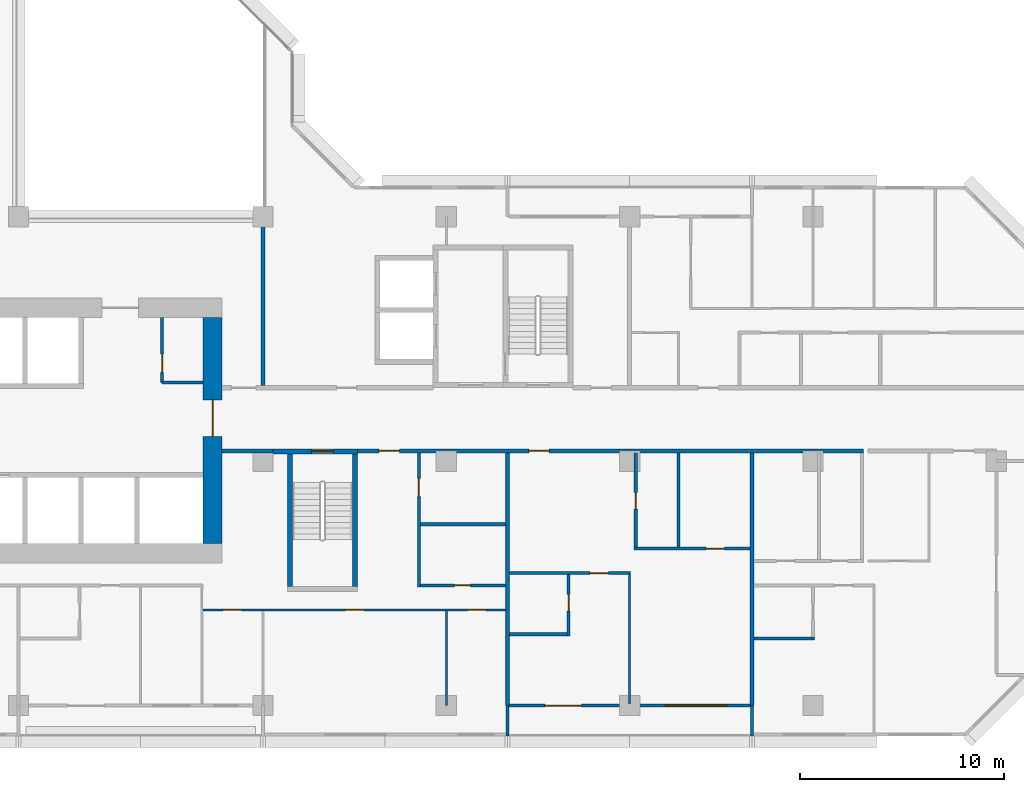
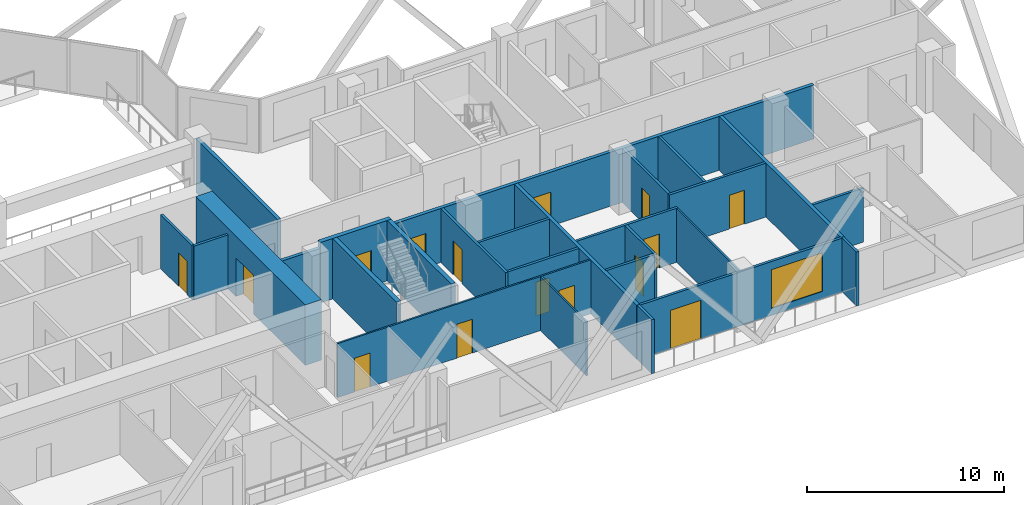
# One storey, part 6 of 14: 27 walls, 15 doors, 1 window, 16 openings.
"""IFC4 building model written with IfcOpenShell, lengths in metres."""

from ifc_helpers import new_model, si_unit, direction, frame, frame_2d, origin, place, context, subcontext, project, spatial, rectangle, extrude, material, layer, layer_set, type_object, element, fill, save


model = new_model("IFC4")

# Units and contexts
model_context = context("Model", 3, precision=1e-05, world=origin(), true_north=direction((0.0, 1.0)))
body_context = subcontext(model_context, "Body", "Model", "MODEL_VIEW")
ifc_project = project(units=[si_unit("LENGTHUNIT", "METRE"), si_unit("AREAUNIT", "SQUARE_METRE"), si_unit("VOLUMEUNIT", "CUBIC_METRE"), si_unit("PLANEANGLEUNIT", "RADIAN"), si_unit("MASSUNIT", "GRAM", prefix="KILO")], contexts=[model_context])

# Site, building, storey
site_placement = place(None, origin())
site = spatial("IfcSite", under=ifc_project, at=site_placement, CompositionType="ELEMENT")
building_placement = place(site_placement, origin())
building = spatial("IfcBuilding", under=site, at=building_placement, Name="Chenar Terraces", CompositionType="ELEMENT")
storey_placement = place(building_placement, frame((0.0, 0.0, 91.89990234375)))
storey = spatial("IfcBuildingStorey", under=building, at=storey_placement, Name="L20", CompositionType="ELEMENT", Elevation=91.89990234375)

# Wall, opening, door
ifc_material_1 = material(Name="Gypsum board on steel studs", Category="steel")
ifc_layer_1 = layer(ifc_material_1, 0.14990234375)
ifc_layer_set_1 = layer_set([ifc_layer_1], Name="Gypsum board on steel studs")
wall_type_1 = type_object("IfcWallType", Name="Core partition 150 gypsum board", PredefinedType="PARTITIONING", material=ifc_layer_set_1)
wall_1_placement = place(storey_placement, frame((31.050048828125, 15.85009765625, 0.0), z_axis=(0.0, 0.0, 1.0), x_axis=(0.0, 1.0, 0.0)))
wall_1 = element("IfcWall", 1, at=wall_1_placement, inside=storey, type_object=wall_type_1, Name="Core partition CP1 vestibule room west wall", PredefinedType="PARTITIONING", context=body_context, shape_type="SweptSolid", body=[
    extrude(rectangle(XDim=3.199951171875, YDim=0.14990234375, at=frame_2d((1.60009765625, 0.0))), origin(), (0.0, 0.0, 1.0), 3.35009765625),
])
opening_1_placement = place(wall_1_placement, frame((0.5, 0.0, 0.0)))
opening_1 = element("IfcOpeningElement", 2, at=opening_1_placement, cuts=wall_1, Name="Opening DL20-C13", PredefinedType="OPENING", context=body_context, shape_type="SweptSolid", body=[
    extrude(rectangle(XDim=0.89990234375, YDim=2.10009765625, at=frame_2d((0.449951171875, 1.050048828125))), frame((0.0, 0.0849609375, 0.0), z_axis=(0.0, -1.0, 0.0), x_axis=(1.0, 0.0, 0.0)), (0.0, 0.0, 1.0), 0.169921875),
])
ifc_material_2 = material(Name="Steel-framed fire-resisting door leaf", Category="steel")
door_type_1 = type_object("IfcDoorType", Name="Riser fire door FD60 900 x 2100", OperationType="SINGLE_SWING_LEFT", PredefinedType="DOOR", material=ifc_material_2)
door_1_placement = place(opening_1_placement, frame((0.89990234375, 0.0, 0.0), z_axis=(0.0, 0.0, 1.0), x_axis=(-1.0, 0.0, 0.0)))
door_1 = element("IfcDoor", 3, at=door_1_placement, inside=storey, type_object=door_type_1, Name="Core room door DL20-C13", OperationType="SINGLE_SWING_RIGHT", OverallHeight=2.10009765625, OverallWidth=0.89990234375, PredefinedType="DOOR", context=body_context, shape_type="SweptSolid", body=[
    extrude(rectangle(XDim=0.89990234375, YDim=2.10009765625, at=frame_2d((0.449951171875, 1.050048828125))), frame((0.0, 0.02490234375, 0.0), z_axis=(0.0, -1.0, 0.0), x_axis=(1.0, 0.0, 0.0)), (0.0, 0.0, 1.0), 0.050048828125),
])
fill(opening_1, door_1)

# Wall
wall_2_placement = place(storey_placement, frame((31.050048828125, 15.85009765625, 0.0), z_axis=(0.0, 0.0, 1.0), x_axis=(1.0, 0.0, 0.0)))
element("IfcWall", 4, at=wall_2_placement, inside=storey, type_object=wall_type_1, Name="Core partition CP1 vestibule room south wall", PredefinedType="PARTITIONING", context=body_context, shape_type="SweptSolid", body=[
    extrude(rectangle(XDim=2.0, YDim=0.14990234375, at=frame_2d((1.0, 0.0))), origin(), (0.0, 0.0, 1.0), 3.35009765625),
])

# Wall, opening, door
ifc_material_3 = material(Name="Concrete C70/85", Category="concrete")
ifc_layer_2 = layer(ifc_material_3, 0.25)
ifc_layer_set_2 = layer_set([ifc_layer_2], Name="Concrete C70/85")
wall_type_2 = type_object("IfcWallType", Name="Core wall 250 Concrete C70/85", PredefinedType="SHEAR", material=ifc_layer_set_2)
wall_3_placement = place(storey_placement, frame((36.5, 12.47509765625, 0.0), z_axis=(0.0, 0.0, 1.0), x_axis=(1.0, 0.0, 0.0)))
wall_3 = element("IfcWall", 5, at=wall_3_placement, inside=storey, type_object=wall_type_2, Name="Core wall ST2_N L20", PredefinedType="SHEAR", context=body_context, shape_type="SweptSolid", body=[
    extrude(rectangle(XDim=4.14990234375, YDim=0.25, at=frame_2d((2.074951171875, 0.0))), origin(), (0.0, 0.0, 1.0), 3.75),
])
opening_2_placement = place(wall_3_placement, frame((1.875, 0.0, 0.0)))
opening_2 = element("IfcOpeningElement", 6, at=opening_2_placement, cuts=wall_3, Name="Opening DL20-C7", PredefinedType="OPENING", context=body_context, shape_type="SweptSolid", body=[
    extrude(rectangle(XDim=1.10009765625, YDim=2.199951171875, at=frame_2d((0.550048828125, 1.10009765625))), frame((0.0, 0.135009765625, 0.0), z_axis=(0.0, -1.0, 0.0), x_axis=(1.0, 0.0, 0.0)), (0.0, 0.0, 1.0), 0.27001953125),
])
ifc_material_4 = material(Name="Steel-framed fire-resisting door leaf", Category="steel")
door_type_2 = type_object("IfcDoorType", Name="Stair fire door FD60 1100 x 2200", OperationType="SINGLE_SWING_LEFT", PredefinedType="DOOR", material=ifc_material_4)
door_2_placement = place(opening_2_placement, frame((1.10009765625, 0.0, 0.0), z_axis=(0.0, 0.0, 1.0), x_axis=(-1.0, 0.0, 0.0)))
door_2 = element("IfcDoor", 7, at=door_2_placement, inside=storey, type_object=door_type_2, Name="Stair door DL20-C7", OperationType="SINGLE_SWING_RIGHT", OverallHeight=2.199951171875, OverallWidth=1.10009765625, PredefinedType="DOOR", context=body_context, shape_type="SweptSolid", body=[
    extrude(rectangle(XDim=1.10009765625, YDim=2.199951171875, at=frame_2d((0.550048828125, 1.10009765625))), frame((0.0, 0.02490234375, 0.0), z_axis=(0.0, -1.0, 0.0), x_axis=(1.0, 0.0, 0.0)), (0.0, 0.0, 1.0), 0.050048828125),
])
fill(opening_2, door_2)

# Walls
for number, where, z_axis, x_axis, name in (
    (8, (37.324951171875, 5.85009765625, 0.0), (0.0, 0.0, 1.0), (0.0, 1.0, 0.0), "Core wall ST2_W L20"),
    (9, (40.52490234375, 5.85009765625, 0.0), (0.0, 0.0, 1.0), (0.0, 1.0, 0.0), "Core wall ST2_E L20"),
):
    element("IfcWall", number, at=place(storey_placement, frame(where, z_axis=z_axis, x_axis=x_axis)), inside=storey, type_object=wall_type_2, Name=name, PredefinedType="SHEAR", context=body_context, shape_type="SweptSolid", body=[
        extrude(rectangle(XDim=6.5, YDim=0.25, at=frame_2d((3.25, 0.0))), origin(), (0.0, 0.0, 1.0), 3.75),
    ])

# Wall, opening, door
ifc_material_5 = material(Name="Concrete C70/85", Category="concrete")
ifc_layer_3 = layer(ifc_material_5, 0.949951171875)
ifc_layer_set_3 = layer_set([ifc_layer_3], Name="Concrete C70/85")
wall_type_3 = type_object("IfcWallType", Name="Core wall 950 Concrete C70/85", PredefinedType="SHEAR", material=ifc_layer_set_3)
wall_4_placement = place(storey_placement, frame((33.52490234375, 7.949951171875, 0.0), z_axis=(0.0, 0.0, 1.0), x_axis=(0.0, 1.0, 0.0)))
wall_4 = element("IfcWall", 10, at=wall_4_placement, inside=storey, type_object=wall_type_3, Name="Core wall E L20", PredefinedType="SHEAR", context=body_context, shape_type="SweptSolid", body=[
    extrude(rectangle(XDim=11.10009765625, YDim=0.949951171875, at=frame_2d((5.550048828125, 0.0))), origin(), (0.0, 0.0, 1.0), 3.75),
])
opening_3_placement = place(wall_4_placement, frame((5.25, 0.0, 0.0)))
opening_3 = element("IfcOpeningElement", 11, at=opening_3_placement, cuts=wall_4, Name="Opening DL20-C1", PredefinedType="OPENING", context=body_context, shape_type="SweptSolid", body=[
    extrude(rectangle(XDim=1.800048828125, YDim=2.39990234375, at=frame_2d((0.89990234375, 1.199951171875))), frame((0.0, 0.48486328125, 0.0), z_axis=(0.0, -1.0, 0.0), x_axis=(1.0, 0.0, 0.0)), (0.0, 0.0, 1.0), 0.969970703125),
])
ifc_material_6 = material(Name="Steel-framed fire-resisting door leaf", Category="steel")
door_type_3 = type_object("IfcDoorType", Name="Core entrance double fire door FD60 1800 x 2400", OperationType="DOUBLE_DOOR_SINGLE_SWING", PredefinedType="DOOR", material=ifc_material_6)
door_3_placement = place(opening_3_placement, origin())
door_3 = element("IfcDoor", 12, at=door_3_placement, inside=storey, type_object=door_type_3, Name="Core door DL20-C1", OperationType="DOUBLE_DOOR_SINGLE_SWING", OverallHeight=2.39990234375, OverallWidth=1.800048828125, PredefinedType="DOOR", context=body_context, shape_type="SweptSolid", body=[
    extrude(rectangle(XDim=1.800048828125, YDim=2.39990234375, at=frame_2d((0.89990234375, 1.199951171875))), frame((0.0, 0.02490234375, 0.0), z_axis=(0.0, -1.0, 0.0), x_axis=(1.0, 0.0, 0.0)), (0.0, 0.0, 1.0), 0.050048828125),
])
fill(opening_3, door_3)

# Walls
ifc_material_7 = material(Name="Gypsum board on steel studs with fire boards", Category="steel")
ifc_layer_4 = layer(ifc_material_7, 0.199951171875)
ifc_layer_set_4 = layer_set([ifc_layer_4], Name="Gypsum board on steel studs with fire boards")
wall_type_4 = type_object("IfcWallType", Name="Corridor wall 200", PredefinedType="PARTITIONING", material=ifc_layer_set_4)
wall_5_placement = place(storey_placement, frame((34.0, 12.5, 0.0), z_axis=(0.0, 0.0, 1.0), x_axis=(1.0, 0.0, 0.0)))
element("IfcWall", 13, at=wall_5_placement, inside=storey, type_object=wall_type_4, Name="Partition L20-067", PredefinedType="PARTITIONING", context=body_context, shape_type="SweptSolid", body=[
    extrude(rectangle(XDim=2.5009765625, YDim=0.199951171875, at=frame_2d((1.25048828125, 0.0))), origin(), (0.0, 0.0, 1.0), 3.35009765625),
])
wall_6_placement = place(storey_placement, frame((36.0, 15.699951171875, 0.0), z_axis=(0.0, 0.0, 1.0), x_axis=(0.0, 1.0, 0.0)))
element("IfcWall", 14, at=wall_6_placement, inside=storey, type_object=wall_type_4, Name="Partition L20-070", PredefinedType="PARTITIONING", context=body_context, shape_type="SweptSolid", body=[
    extrude(rectangle(XDim=8.300048828125, YDim=0.199951171875, at=frame_2d((4.14990234375, 0.0))), origin(), (0.0, 0.0, 1.0), 3.35009765625),
])

# Wall, openings, doors
wall_7_placement = place(storey_placement, frame((40.64990234375, 12.5, 0.0), z_axis=(0.0, 0.0, 1.0), x_axis=(1.0, 0.0, 0.0)))
wall_7 = element("IfcWall", 15, at=wall_7_placement, inside=storey, type_object=wall_type_4, Name="Partition L20-071", PredefinedType="PARTITIONING", context=body_context, shape_type="SweptSolid", body=[
    extrude(rectangle(XDim=24.8251953125, YDim=0.199951171875, at=frame_2d((12.41259765625, 0.0))), origin(), (0.0, 0.0, 1.0), 3.35009765625),
])
opening_4_placement = place(wall_7_placement, frame((8.39990234375, 0.0, 0.0)))
opening_4 = element("IfcOpeningElement", 16, at=opening_4_placement, cuts=wall_7, Name="Opening DL20-18", PredefinedType="OPENING", context=body_context, shape_type="SweptSolid", body=[
    extrude(rectangle(XDim=1.0, YDim=2.10009765625, at=frame_2d((0.5, 1.050048828125))), frame((0.0, 0.10986328125, 0.0), z_axis=(0.0, -1.0, 0.0), x_axis=(1.0, 0.0, 0.0)), (0.0, 0.0, 1.0), 0.219970703125),
])
opening_5_placement = place(wall_7_placement, frame((1.050048828125, 0.0, 0.0)))
opening_5 = element("IfcOpeningElement", 17, at=opening_5_placement, cuts=wall_7, Name="Opening DL20-63", PredefinedType="OPENING", context=body_context, shape_type="SweptSolid", body=[
    extrude(rectangle(XDim=1.0, YDim=2.10009765625, at=frame_2d((0.5, 1.050048828125))), frame((0.0, 0.10986328125, 0.0), z_axis=(0.0, -1.0, 0.0), x_axis=(1.0, 0.0, 0.0)), (0.0, 0.0, 1.0), 0.219970703125),
])
ifc_material_8 = material(Name="Steel-framed fire-resisting door leaf", Category="steel")
door_type_4 = type_object("IfcDoorType", Name="Fire door FD30S 1000 x 2100", OperationType="SINGLE_SWING_LEFT", PredefinedType="DOOR", material=ifc_material_8)
door_4_placement = place(opening_4_placement, frame((1.0, 0.0, 0.0), z_axis=(0.0, 0.0, 1.0), x_axis=(-1.0, 0.0, 0.0)))
door_4 = element("IfcDoor", 18, at=door_4_placement, inside=storey, type_object=door_type_4, Name="Door DL20-18", OperationType="SINGLE_SWING_RIGHT", OverallHeight=2.10009765625, OverallWidth=1.0, PredefinedType="DOOR", context=body_context, shape_type="SweptSolid", body=[
    extrude(rectangle(XDim=1.0, YDim=2.10009765625, at=frame_2d((0.5, 1.050048828125))), frame((0.0, 0.02490234375, 0.0), z_axis=(0.0, -1.0, 0.0), x_axis=(1.0, 0.0, 0.0)), (0.0, 0.0, 1.0), 0.050048828125),
])
fill(opening_4, door_4)
door_5_placement = place(opening_5_placement, origin())
door_5 = element("IfcDoor", 19, at=door_5_placement, inside=storey, type_object=door_type_4, Name="Door DL20-63", OperationType="SINGLE_SWING_RIGHT", OverallHeight=2.10009765625, OverallWidth=1.0, PredefinedType="DOOR", context=body_context, shape_type="SweptSolid", body=[
    extrude(rectangle(XDim=1.0, YDim=2.10009765625, at=frame_2d((0.5, 1.050048828125))), frame((0.0, 0.02490234375, 0.0), z_axis=(0.0, -1.0, 0.0), x_axis=(1.0, 0.0, 0.0)), (0.0, 0.0, 1.0), 0.050048828125),
])
fill(opening_5, door_5)

# Wall, openings, window, door
ifc_material_9 = material(Name="Aluminium framed glazing", Category="aluminium")
ifc_layer_5 = layer(ifc_material_9, 0.14990234375)
ifc_layer_set_5 = layer_set([ifc_layer_5], Name="Aluminium framed glazing")
wall_type_5 = type_object("IfcWallType", Name="Glazed loggia back wall 150", PredefinedType="SOLIDWALL", material=ifc_layer_set_5)
wall_8_placement = place(storey_placement, frame((48.074951171875, 0.0, 0.0), z_axis=(0.0, 0.0, 1.0), x_axis=(1.0, 0.0, 0.0)))
wall_8 = element("IfcWall", 20, at=wall_8_placement, inside=storey, type_object=wall_type_5, Name="Glazed loggia back wall", PredefinedType="SOLIDWALL", context=body_context, shape_type="SweptSolid", body=[
    extrude(rectangle(XDim=11.85009765625, YDim=0.14990234375, at=frame_2d((5.925048828125, 0.0))), origin(), (0.0, 0.0, 1.0), 3.35009765625),
])
opening_6_placement = place(wall_8_placement, frame((1.762451171875, 0.0, 0.0)))
opening_6 = element("IfcOpeningElement", 21, at=opening_6_placement, cuts=wall_8, Name="Opening DL20-G7", PredefinedType="OPENING", context=body_context, shape_type="SweptSolid", body=[
    extrude(rectangle(XDim=1.800048828125, YDim=2.39990234375, at=frame_2d((0.89990234375, 1.199951171875))), frame((0.0, 0.0849609375, 0.0), z_axis=(0.0, -1.0, 0.0), x_axis=(1.0, 0.0, 0.0)), (0.0, 0.0, 1.0), 0.169921875),
])
opening_7_placement = place(wall_8_placement, frame((7.6875, 0.0, 0.449951171875)))
opening_7 = element("IfcOpeningElement", 22, at=opening_7_placement, cuts=wall_8, Name="Opening W300x240", PredefinedType="OPENING", context=body_context, shape_type="SweptSolid", body=[
    extrude(rectangle(XDim=3.0, YDim=2.39990234375, at=frame_2d((1.5, 1.199951171875))), frame((0.0, 0.0849609375, 0.0), z_axis=(0.0, -1.0, 0.0), x_axis=(1.0, 0.0, 0.0)), (0.0, 0.0, 1.0), 0.169921875),
])
ifc_material_10 = material(Name="Low emissivity double glazing, aluminium frame", Category="aluminium")
window_type = type_object("IfcWindowType", Name="Fixed light 3000 x 2400", PartitioningType="SINGLE_PANEL", PredefinedType="WINDOW", material=ifc_material_10)
window_placement = place(opening_7_placement, origin())
window = element("IfcWindow", 23, at=window_placement, inside=storey, type_object=window_type, Name="Window", OverallHeight=2.39990234375, OverallWidth=3.0, PartitioningType="SINGLE_PANEL", PredefinedType="WINDOW", context=body_context, shape_type="SweptSolid", body=[
    extrude(rectangle(XDim=3.0, YDim=2.39990234375, at=frame_2d((1.5, 1.199951171875))), frame((0.0, 0.030029296875, 0.0), z_axis=(0.0, -1.0, 0.0), x_axis=(1.0, 0.0, 0.0)), (0.0, 0.0, 1.0), 0.06005859375),
])
fill(opening_7, window)
ifc_material_11 = material(Name="Low emissivity double glazing, aluminium frame", Category="aluminium")
door_type_5 = type_object("IfcDoorType", Name="Loggia glazed double door 1800 x 2400", OperationType="DOUBLE_DOOR_SINGLE_SWING", PredefinedType="DOOR", material=ifc_material_11)
door_6_placement = place(opening_6_placement, frame((1.800048828125, 0.0, 0.0), z_axis=(0.0, 0.0, 1.0), x_axis=(-1.0, 0.0, 0.0)))
door_6 = element("IfcDoor", 24, at=door_6_placement, inside=storey, type_object=door_type_5, Name="Loggia glazed door", OperationType="DOUBLE_DOOR_SINGLE_SWING", OverallHeight=2.39990234375, OverallWidth=1.800048828125, PredefinedType="DOOR", context=body_context, shape_type="SweptSolid", body=[
    extrude(rectangle(XDim=1.800048828125, YDim=2.39990234375, at=frame_2d((0.89990234375, 1.199951171875))), frame((0.0, 0.02490234375, 0.0), z_axis=(0.0, -1.0, 0.0), x_axis=(1.0, 0.0, 0.0)), (0.0, 0.0, 1.0), 0.050048828125),
])
fill(opening_6, door_6)

# Wall, openings, doors
ifc_material_12 = material(Name="Gypsum board on steel studs", Category="steel")
ifc_layer_6 = layer(ifc_material_12, 0.10009765625)
ifc_layer_set_6 = layer_set([ifc_layer_6], Name="Gypsum board on steel studs")
wall_type_6 = type_object("IfcWallType", Name="Gypsum partition 100", PredefinedType="PARTITIONING", material=ifc_layer_set_6)
wall_9_placement = place(storey_placement, frame((33.050048828125, 4.699951171875, 0.0), z_axis=(0.0, 0.0, 1.0), x_axis=(1.0, 0.0, 0.0)))
wall_9 = element("IfcWall", 25, at=wall_9_placement, inside=storey, type_object=wall_type_6, Name="Partition L20-066", PredefinedType="PARTITIONING", context=body_context, shape_type="SweptSolid", body=[
    extrude(rectangle(XDim=14.849853515625, YDim=0.10009765625, at=frame_2d((7.4248046875, 0.0))), origin(), (0.0, 0.0, 1.0), 3.35009765625),
])
opening_8_placement = place(wall_9_placement, frame((1.0, 0.0, 0.0)))
opening_8 = element("IfcOpeningElement", 26, at=opening_8_placement, cuts=wall_9, Name="Opening DL20-57", PredefinedType="OPENING", context=body_context, shape_type="SweptSolid", body=[
    extrude(rectangle(XDim=0.89990234375, YDim=2.10009765625, at=frame_2d((0.449951171875, 1.050048828125))), frame((0.0, 0.06005859375, 0.0), z_axis=(0.0, -1.0, 0.0), x_axis=(1.0, 0.0, 0.0)), (0.0, 0.0, 1.0), 0.1201171875),
])
opening_9_placement = place(wall_9_placement, frame((13.0, 0.0, 0.0)))
opening_9 = element("IfcOpeningElement", 27, at=opening_9_placement, cuts=wall_9, Name="Opening DL20-58", PredefinedType="OPENING", context=body_context, shape_type="SweptSolid", body=[
    extrude(rectangle(XDim=0.89990234375, YDim=2.10009765625, at=frame_2d((0.449951171875, 1.050048828125))), frame((0.0, 0.06005859375, 0.0), z_axis=(0.0, -1.0, 0.0), x_axis=(1.0, 0.0, 0.0)), (0.0, 0.0, 1.0), 0.1201171875),
])
opening_10_placement = place(wall_9_placement, frame((7.0, 0.0, 0.0)))
opening_10 = element("IfcOpeningElement", 28, at=opening_10_placement, cuts=wall_9, Name="Opening DL20-66", PredefinedType="OPENING", context=body_context, shape_type="SweptSolid", body=[
    extrude(rectangle(XDim=0.89990234375, YDim=2.10009765625, at=frame_2d((0.449951171875, 1.050048828125))), frame((0.0, 0.06005859375, 0.0), z_axis=(0.0, -1.0, 0.0), x_axis=(1.0, 0.0, 0.0)), (0.0, 0.0, 1.0), 0.1201171875),
])
ifc_material_13 = material(Name="Veneered timber door leaf", Category="wood")
door_type_6 = type_object("IfcDoorType", Name="Door 900 x 2100", OperationType="SINGLE_SWING_LEFT", PredefinedType="DOOR", material=ifc_material_13)
door_7_placement = place(opening_8_placement, frame((0.89990234375, 0.0, 0.0), z_axis=(0.0, 0.0, 1.0), x_axis=(-1.0, 0.0, 0.0)))
door_7 = element("IfcDoor", 29, at=door_7_placement, inside=storey, type_object=door_type_6, Name="Door DL20-57", OperationType="SINGLE_SWING_LEFT", OverallHeight=2.10009765625, OverallWidth=0.89990234375, PredefinedType="DOOR", context=body_context, shape_type="SweptSolid", body=[
    extrude(rectangle(XDim=0.89990234375, YDim=2.10009765625, at=frame_2d((0.449951171875, 1.050048828125))), frame((0.0, 0.02490234375, 0.0), z_axis=(0.0, -1.0, 0.0), x_axis=(1.0, 0.0, 0.0)), (0.0, 0.0, 1.0), 0.050048828125),
])
fill(opening_8, door_7)
door_8_placement = place(opening_9_placement, frame((0.89990234375, 0.0, 0.0), z_axis=(0.0, 0.0, 1.0), x_axis=(-1.0, 0.0, 0.0)))
door_8 = element("IfcDoor", 30, at=door_8_placement, inside=storey, type_object=door_type_6, Name="Door DL20-58", OperationType="SINGLE_SWING_LEFT", OverallHeight=2.10009765625, OverallWidth=0.89990234375, PredefinedType="DOOR", context=body_context, shape_type="SweptSolid", body=[
    extrude(rectangle(XDim=0.89990234375, YDim=2.10009765625, at=frame_2d((0.449951171875, 1.050048828125))), frame((0.0, 0.02490234375, 0.0), z_axis=(0.0, -1.0, 0.0), x_axis=(1.0, 0.0, 0.0)), (0.0, 0.0, 1.0), 0.050048828125),
])
fill(opening_9, door_8)
door_9_placement = place(opening_10_placement, frame((0.89990234375, 0.0, 0.0), z_axis=(0.0, 0.0, 1.0), x_axis=(-1.0, 0.0, 0.0)))
door_9 = element("IfcDoor", 31, at=door_9_placement, inside=storey, type_object=door_type_6, Name="Door DL20-66", OperationType="SINGLE_SWING_LEFT", OverallHeight=2.10009765625, OverallWidth=0.89990234375, PredefinedType="DOOR", context=body_context, shape_type="SweptSolid", body=[
    extrude(rectangle(XDim=0.89990234375, YDim=2.10009765625, at=frame_2d((0.449951171875, 1.050048828125))), frame((0.0, 0.02490234375, 0.0), z_axis=(0.0, -1.0, 0.0), x_axis=(1.0, 0.0, 0.0)), (0.0, 0.0, 1.0), 0.050048828125),
])
fill(opening_10, door_9)

# Walls
wall_10_placement = place(storey_placement, frame((45.0, 0.0, 0.0), z_axis=(0.0, 0.0, 1.0), x_axis=(0.0, 1.0, 0.0)))
element("IfcWall", 32, at=wall_10_placement, inside=storey, type_object=wall_type_6, Name="Partition L20-075", PredefinedType="PARTITIONING", context=body_context, shape_type="SweptSolid", body=[
    extrude(rectangle(XDim=4.64990234375, YDim=0.10009765625, at=frame_2d((2.324951171875, 0.0))), origin(), (0.0, 0.0, 1.0), 3.35009765625),
])
wall_11_placement = place(storey_placement, frame((54.0, 0.073974609375, 0.0), z_axis=(0.0, 0.0, 1.0), x_axis=(0.0, 1.0, 0.0)))
element("IfcWall", 33, at=wall_11_placement, inside=storey, type_object=wall_type_6, Name="Partition L20-082", PredefinedType="PARTITIONING", context=body_context, shape_type="SweptSolid", body=[
    extrude(rectangle(XDim=6.35107421875, YDim=0.10009765625, at=frame_2d((3.175537109375, 0.0))), origin(), (0.0, 0.0, 1.0), 3.35009765625),
])
ifc_material_14 = material(Name="Terracotta cladding on insulated backing", Category="masonry")
ifc_layer_7 = layer(ifc_material_14, 0.14990234375)
ifc_layer_set_7 = layer_set([ifc_layer_7], Name="Terracotta cladding on insulated backing")
wall_type_7 = type_object("IfcWallType", Name="Loggia return wall 150", PredefinedType="SOLIDWALL", material=ifc_layer_set_7)
for number, where, z_axis, x_axis, name in (
    (34, (48.0, -1.5, 0.0), (0.0, 0.0, 1.0), (0.0, 1.0, 0.0), "Loggia return wall"),
    (35, (60.0, -1.5, 0.0), (0.0, 0.0, 1.0), (0.0, 1.0, 0.0), "Loggia return wall"),
):
    element("IfcWall", number, at=place(storey_placement, frame(where, z_axis=z_axis, x_axis=x_axis)), inside=storey, type_object=wall_type_7, Name=name, PredefinedType="SOLIDWALL", context=body_context, shape_type="SweptSolid", body=[
        extrude(rectangle(XDim=1.5, YDim=0.14990234375, at=frame_2d((0.75, 0.0))), origin(), (0.0, 0.0, 1.0), 3.35009765625),
    ])
ifc_material_15 = material(Name="Twin gypsum board on steel studs with mineral wool", Category="steel")
ifc_layer_8 = layer(ifc_material_15, 0.199951171875)
ifc_layer_set_8 = layer_set([ifc_layer_8], Name="Twin gypsum board on steel studs with mineral wool")
wall_type_8 = type_object("IfcWallType", Name="Unit demising wall 200", PredefinedType="PARTITIONING", material=ifc_layer_set_8)
for number, where, z_axis, x_axis, name in (
    (36, (48.0, 0.0, 0.0), (0.0, 0.0, 1.0), (0.0, 1.0, 0.0), "Partition L20-077"),
    (37, (60.0, 0.0, 0.0), (0.0, 0.0, 1.0), (0.0, 1.0, 0.0), "Partition L20-093"),
):
    element("IfcWall", number, at=place(storey_placement, frame(where, z_axis=z_axis, x_axis=x_axis)), inside=storey, type_object=wall_type_8, Name=name, PredefinedType="PARTITIONING", context=body_context, shape_type="SweptSolid", body=[
        extrude(rectangle(XDim=12.39990234375, YDim=0.199951171875, at=frame_2d((6.199951171875, 0.0))), origin(), (0.0, 0.0, 1.0), 3.35009765625),
    ])

# Wall, opening, door
ifc_material_16 = material(Name="Moisture-resistant gypsum board on steel studs", Category="steel")
ifc_layer_9 = layer(ifc_material_16, 0.14990234375)
ifc_layer_set_9 = layer_set([ifc_layer_9], Name="Moisture-resistant gypsum board on steel studs")
wall_type_9 = type_object("IfcWallType", Name="Wet-room partition 150", PredefinedType="PARTITIONING", material=ifc_layer_set_9)
wall_12_placement = place(storey_placement, frame((43.64990234375, 5.824951171875, 0.0), z_axis=(0.0, 0.0, 1.0), x_axis=(0.0, 1.0, 0.0)))
wall_12 = element("IfcWall", 38, at=wall_12_placement, inside=storey, type_object=wall_type_9, Name="Partition L20-072", PredefinedType="PARTITIONING", context=body_context, shape_type="SweptSolid", body=[
    extrude(rectangle(XDim=6.574951171875, YDim=0.14990234375, at=frame_2d((3.28759765625, 0.0))), origin(), (0.0, 0.0, 1.0), 3.35009765625),
])
opening_11_placement = place(wall_12_placement, frame((4.425048828125, 0.0, 0.0)))
opening_11 = element("IfcOpeningElement", 39, at=opening_11_placement, cuts=wall_12, Name="Opening DL20-64", PredefinedType="OPENING", context=body_context, shape_type="SweptSolid", body=[
    extrude(rectangle(XDim=0.89990234375, YDim=2.10009765625, at=frame_2d((0.449951171875, 1.050048828125))), frame((0.0, 0.0849609375, 0.0), z_axis=(0.0, -1.0, 0.0), x_axis=(1.0, 0.0, 0.0)), (0.0, 0.0, 1.0), 0.169921875),
])
door_10_placement = place(opening_11_placement, frame((0.89990234375, 0.0, 0.0), z_axis=(0.0, 0.0, 1.0), x_axis=(-1.0, 0.0, 0.0)))
door_10 = element("IfcDoor", 40, at=door_10_placement, inside=storey, type_object=door_type_6, Name="Door DL20-64", OperationType="SINGLE_SWING_LEFT", OverallHeight=2.10009765625, OverallWidth=0.89990234375, PredefinedType="DOOR", context=body_context, shape_type="SweptSolid", body=[
    extrude(rectangle(XDim=0.89990234375, YDim=2.10009765625, at=frame_2d((0.449951171875, 1.050048828125))), frame((0.0, 0.02490234375, 0.0), z_axis=(0.0, -1.0, 0.0), x_axis=(1.0, 0.0, 0.0)), (0.0, 0.0, 1.0), 0.050048828125),
])
fill(opening_11, door_10)

wall_13_placement = place(storey_placement, frame((43.72509765625, 5.89990234375, 0.0), z_axis=(0.0, 0.0, 1.0), x_axis=(1.0, 0.0, 0.0)))
wall_13 = element("IfcWall", 41, at=wall_13_placement, inside=storey, type_object=wall_type_9, Name="Partition L20-073", PredefinedType="PARTITIONING", context=body_context, shape_type="SweptSolid", body=[
    extrude(rectangle(XDim=4.1748046875, YDim=0.14990234375, at=frame_2d((2.08740234375, 0.0))), origin(), (0.0, 0.0, 1.0), 3.35009765625),
])
opening_12_placement = place(wall_13_placement, frame((1.675048828125, 0.0, 0.0)))
opening_12 = element("IfcOpeningElement", 42, at=opening_12_placement, cuts=wall_13, Name="Opening DL20-54", PredefinedType="OPENING", context=body_context, shape_type="SweptSolid", body=[
    extrude(rectangle(XDim=0.800048828125, YDim=2.10009765625, at=frame_2d((0.39990234375, 1.050048828125))), frame((0.0, 0.0849609375, 0.0), z_axis=(0.0, -1.0, 0.0), x_axis=(1.0, 0.0, 0.0)), (0.0, 0.0, 1.0), 0.169921875),
])
ifc_material_17 = material(Name="Veneered timber door leaf", Category="wood")
door_type_7 = type_object("IfcDoorType", Name="Door 800 x 2100", OperationType="SINGLE_SWING_LEFT", PredefinedType="DOOR", material=ifc_material_17)
door_11_placement = place(opening_12_placement, origin())
door_11 = element("IfcDoor", 43, at=door_11_placement, inside=storey, type_object=door_type_7, Name="Door DL20-54", OperationType="SINGLE_SWING_LEFT", OverallHeight=2.10009765625, OverallWidth=0.800048828125, PredefinedType="DOOR", context=body_context, shape_type="SweptSolid", body=[
    extrude(rectangle(XDim=0.800048828125, YDim=2.10009765625, at=frame_2d((0.39990234375, 1.050048828125))), frame((0.0, 0.02490234375, 0.0), z_axis=(0.0, -1.0, 0.0), x_axis=(1.0, 0.0, 0.0)), (0.0, 0.0, 1.0), 0.050048828125),
])
fill(opening_12, door_11)

# Walls
wall_14_placement = place(storey_placement, frame((43.72509765625, 8.89990234375, 0.0), z_axis=(0.0, 0.0, 1.0), x_axis=(1.0, 0.0, 0.0)))
element("IfcWall", 44, at=wall_14_placement, inside=storey, type_object=wall_type_9, Name="Partition L20-074", PredefinedType="PARTITIONING", context=body_context, shape_type="SweptSolid", body=[
    extrude(rectangle(XDim=4.1748046875, YDim=0.14990234375, at=frame_2d((2.08740234375, 0.0))), origin(), (0.0, 0.0, 1.0), 3.35009765625),
])
wall_15_placement = place(storey_placement, frame((48.10009765625, 3.5, 0.0), z_axis=(0.0, 0.0, 1.0), x_axis=(1.0, 0.0, 0.0)))
element("IfcWall", 45, at=wall_15_placement, inside=storey, type_object=wall_type_9, Name="Partition L20-078", PredefinedType="PARTITIONING", context=body_context, shape_type="SweptSolid", body=[
    extrude(rectangle(XDim=2.824951171875, YDim=0.14990234375, at=frame_2d((1.41259765625, 0.0))), origin(), (0.0, 0.0, 1.0), 3.35009765625),
])

# Wall, opening, door
wall_16_placement = place(storey_placement, frame((48.10009765625, 6.5, 0.0), z_axis=(0.0, 0.0, 1.0), x_axis=(1.0, 0.0, 0.0)))
wall_16 = element("IfcWall", 46, at=wall_16_placement, inside=storey, type_object=wall_type_9, Name="Partition L20-079", PredefinedType="PARTITIONING", context=body_context, shape_type="SweptSolid", body=[
    extrude(rectangle(XDim=5.949951171875, YDim=0.14990234375, at=frame_2d((2.97509765625, 0.0))), origin(), (0.0, 0.0, 1.0), 3.35009765625),
])
opening_13_placement = place(wall_16_placement, frame((3.949951171875, 0.0, 0.0)))
opening_13 = element("IfcOpeningElement", 47, at=opening_13_placement, cuts=wall_16, Name="Opening DL20-15", PredefinedType="OPENING", context=body_context, shape_type="SweptSolid", body=[
    extrude(rectangle(XDim=0.89990234375, YDim=2.10009765625, at=frame_2d((0.449951171875, 1.050048828125))), frame((0.0, 0.0849609375, 0.0), z_axis=(0.0, -1.0, 0.0), x_axis=(1.0, 0.0, 0.0)), (0.0, 0.0, 1.0), 0.169921875),
])
door_12_placement = place(opening_13_placement, frame((0.89990234375, 0.0, 0.0), z_axis=(0.0, 0.0, 1.0), x_axis=(-1.0, 0.0, 0.0)))
door_12 = element("IfcDoor", 48, at=door_12_placement, inside=storey, type_object=door_type_6, Name="Door DL20-15", OperationType="SINGLE_SWING_LEFT", OverallHeight=2.10009765625, OverallWidth=0.89990234375, PredefinedType="DOOR", context=body_context, shape_type="SweptSolid", body=[
    extrude(rectangle(XDim=0.89990234375, YDim=2.10009765625, at=frame_2d((0.449951171875, 1.050048828125))), frame((0.0, 0.02490234375, 0.0), z_axis=(0.0, -1.0, 0.0), x_axis=(1.0, 0.0, 0.0)), (0.0, 0.0, 1.0), 0.050048828125),
])
fill(opening_13, door_12)

wall_17_placement = place(storey_placement, frame((51.0, 3.425048828125, 0.0), z_axis=(0.0, 0.0, 1.0), x_axis=(0.0, 1.0, 0.0)))
wall_17 = element("IfcWall", 49, at=wall_17_placement, inside=storey, type_object=wall_type_9, Name="Partition L20-080", PredefinedType="PARTITIONING", context=body_context, shape_type="SweptSolid", body=[
    extrude(rectangle(XDim=3.0, YDim=0.14990234375, at=frame_2d((1.5, 0.0))), origin(), (0.0, 0.0, 1.0), 3.35009765625),
])
opening_14_placement = place(wall_17_placement, frame((1.22509765625, 0.0, 0.0)))
opening_14 = element("IfcOpeningElement", 50, at=opening_14_placement, cuts=wall_17, Name="Opening DL20-16", PredefinedType="OPENING", context=body_context, shape_type="SweptSolid", body=[
    extrude(rectangle(XDim=0.800048828125, YDim=2.10009765625, at=frame_2d((0.39990234375, 1.050048828125))), frame((0.0, 0.0849609375, 0.0), z_axis=(0.0, -1.0, 0.0), x_axis=(1.0, 0.0, 0.0)), (0.0, 0.0, 1.0), 0.169921875),
])
door_13_placement = place(opening_14_placement, origin())
door_13 = element("IfcDoor", 51, at=door_13_placement, inside=storey, type_object=door_type_7, Name="Door DL20-16", OperationType="SINGLE_SWING_RIGHT", OverallHeight=2.10009765625, OverallWidth=0.800048828125, PredefinedType="DOOR", context=body_context, shape_type="SweptSolid", body=[
    extrude(rectangle(XDim=0.800048828125, YDim=2.10009765625, at=frame_2d((0.39990234375, 1.050048828125))), frame((0.0, 0.02490234375, 0.0), z_axis=(0.0, -1.0, 0.0), x_axis=(1.0, 0.0, 0.0)), (0.0, 0.0, 1.0), 0.050048828125),
])
fill(opening_14, door_13)

wall_18_placement = place(storey_placement, frame((54.22509765625, 7.699951171875, 0.0), z_axis=(0.0, 0.0, 1.0), x_axis=(1.0, 0.0, 0.0)))
wall_18 = element("IfcWall", 52, at=wall_18_placement, inside=storey, type_object=wall_type_9, Name="Partition L20-085", PredefinedType="PARTITIONING", context=body_context, shape_type="SweptSolid", body=[
    extrude(rectangle(XDim=5.6748046875, YDim=0.14990234375, at=frame_2d((2.83740234375, 0.0))), origin(), (0.0, 0.0, 1.0), 3.35009765625),
])
opening_15_placement = place(wall_18_placement, frame((3.52490234375, 0.0, 0.0)))
opening_15 = element("IfcOpeningElement", 53, at=opening_15_placement, cuts=wall_18, Name="Opening DL20-17", PredefinedType="OPENING", context=body_context, shape_type="SweptSolid", body=[
    extrude(rectangle(XDim=0.89990234375, YDim=2.10009765625, at=frame_2d((0.449951171875, 1.050048828125))), frame((0.0, 0.0849609375, 0.0), z_axis=(0.0, -1.0, 0.0), x_axis=(1.0, 0.0, 0.0)), (0.0, 0.0, 1.0), 0.169921875),
])
door_14_placement = place(opening_15_placement, origin())
door_14 = element("IfcDoor", 54, at=door_14_placement, inside=storey, type_object=door_type_6, Name="Door DL20-17", OperationType="SINGLE_SWING_LEFT", OverallHeight=2.10009765625, OverallWidth=0.89990234375, PredefinedType="DOOR", context=body_context, shape_type="SweptSolid", body=[
    extrude(rectangle(XDim=0.89990234375, YDim=2.10009765625, at=frame_2d((0.449951171875, 1.050048828125))), frame((0.0, 0.02490234375, 0.0), z_axis=(0.0, -1.0, 0.0), x_axis=(1.0, 0.0, 0.0)), (0.0, 0.0, 1.0), 0.050048828125),
])
fill(opening_15, door_14)

wall_19_placement = place(storey_placement, frame((54.300048828125, 7.77490234375, 0.0), z_axis=(0.0, 0.0, 1.0), x_axis=(0.0, 1.0, 0.0)))
wall_19 = element("IfcWall", 55, at=wall_19_placement, inside=storey, type_object=wall_type_9, Name="Partition L20-086", PredefinedType="PARTITIONING", context=body_context, shape_type="SweptSolid", body=[
    extrude(rectangle(XDim=4.625, YDim=0.14990234375, at=frame_2d((2.3125, 0.0))), origin(), (0.0, 0.0, 1.0), 3.35009765625),
])
opening_16_placement = place(wall_19_placement, frame((1.875, 0.0, 0.0)))
opening_16 = element("IfcOpeningElement", 56, at=opening_16_placement, cuts=wall_19, Name="Opening DL20-14", PredefinedType="OPENING", context=body_context, shape_type="SweptSolid", body=[
    extrude(rectangle(XDim=0.800048828125, YDim=2.10009765625, at=frame_2d((0.39990234375, 1.050048828125))), frame((0.0, 0.0849609375, 0.0), z_axis=(0.0, -1.0, 0.0), x_axis=(1.0, 0.0, 0.0)), (0.0, 0.0, 1.0), 0.169921875),
])
door_15_placement = place(opening_16_placement, frame((0.800048828125, 0.0, 0.0), z_axis=(0.0, 0.0, 1.0), x_axis=(-1.0, 0.0, 0.0)))
door_15 = element("IfcDoor", 57, at=door_15_placement, inside=storey, type_object=door_type_7, Name="Door DL20-14", OperationType="SINGLE_SWING_LEFT", OverallHeight=2.10009765625, OverallWidth=0.800048828125, PredefinedType="DOOR", context=body_context, shape_type="SweptSolid", body=[
    extrude(rectangle(XDim=0.800048828125, YDim=2.10009765625, at=frame_2d((0.39990234375, 1.050048828125))), frame((0.0, 0.02490234375, 0.0), z_axis=(0.0, -1.0, 0.0), x_axis=(1.0, 0.0, 0.0)), (0.0, 0.0, 1.0), 0.050048828125),
])
fill(opening_16, door_15)

# Walls
wall_20_placement = place(storey_placement, frame((56.39990234375, 7.77490234375, 0.0), z_axis=(0.0, 0.0, 1.0), x_axis=(0.0, 1.0, 0.0)))
element("IfcWall", 58, at=wall_20_placement, inside=storey, type_object=wall_type_9, Name="Partition L20-087", PredefinedType="PARTITIONING", context=body_context, shape_type="SweptSolid", body=[
    extrude(rectangle(XDim=4.625, YDim=0.14990234375, at=frame_2d((2.3125, 0.0))), origin(), (0.0, 0.0, 1.0), 3.35009765625),
])
wall_21_placement = place(storey_placement, frame((60.10009765625, 3.300048828125, 0.0), z_axis=(0.0, 0.0, 1.0), x_axis=(1.0, 0.0, 0.0)))
element("IfcWall", 59, at=wall_21_placement, inside=storey, type_object=wall_type_9, Name="Partition L20-095", PredefinedType="PARTITIONING", context=body_context, shape_type="SweptSolid", body=[
    extrude(rectangle(XDim=2.974853515625, YDim=0.14990234375, at=frame_2d((1.4873046875, 0.0))), origin(), (0.0, 0.0, 1.0), 3.35009765625),
])

save(model, "model.ifc")
